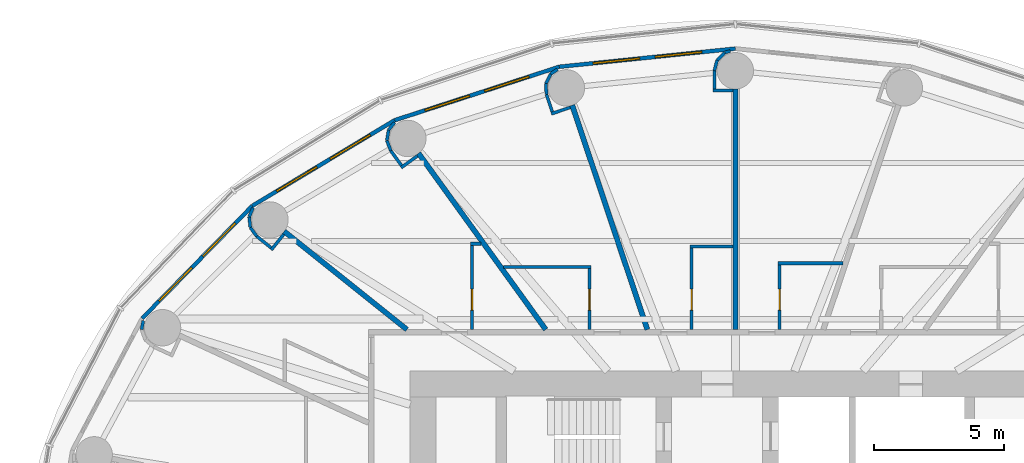
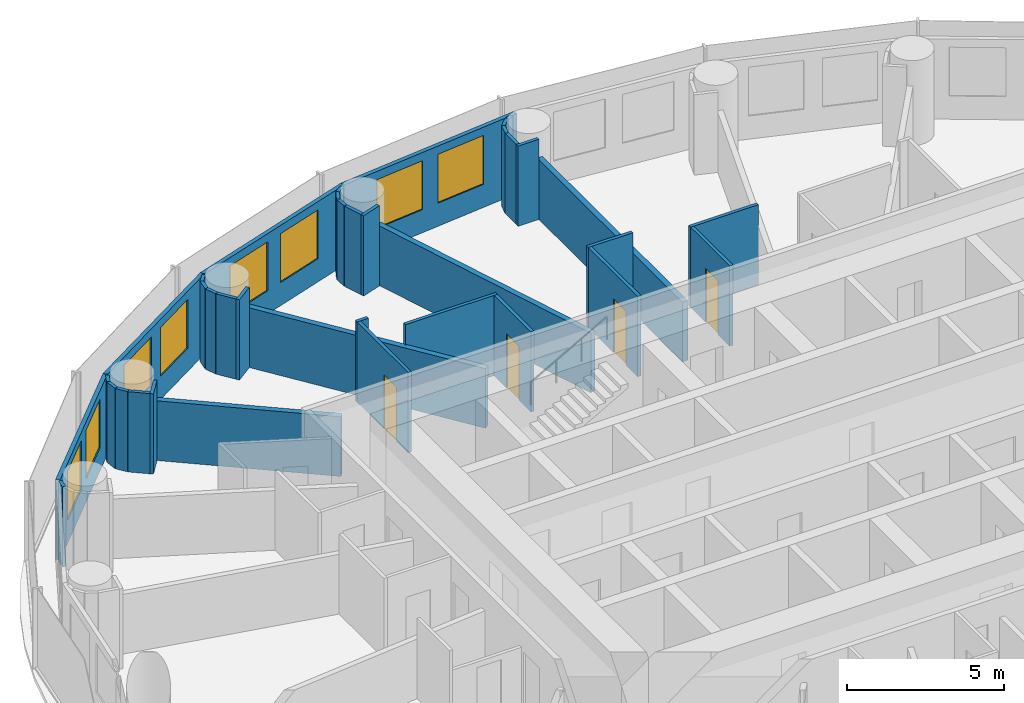
# One storey, part 12 of 14: 37 walls, 8 windows, 4 doors, 12 openings.
"""IFC4 building model written with IfcOpenShell, lengths in metres."""

from ifc_helpers import new_model, si_unit, direction, frame, frame_2d, origin, place, context, subcontext, project, spatial, rectangle, extrude, material, layer, layer_set, type_object, element, fill, save


model = new_model("IFC4")

# Units and contexts
model_context = context("Model", 3, precision=1e-05, world=origin(), true_north=direction((0.0, 1.0)))
body_context = subcontext(model_context, "Body", "Model", "MODEL_VIEW")
ifc_project = project(units=[si_unit("LENGTHUNIT", "METRE"), si_unit("AREAUNIT", "SQUARE_METRE"), si_unit("VOLUMEUNIT", "CUBIC_METRE"), si_unit("PLANEANGLEUNIT", "RADIAN"), si_unit("MASSUNIT", "GRAM", prefix="KILO")], contexts=[model_context])

# Site, building, storey
site_placement = place(None, origin())
site = spatial("IfcSite", under=ifc_project, at=site_placement, CompositionType="ELEMENT")
building_placement = place(site_placement, origin())
building = spatial("IfcBuilding", under=site, at=building_placement, Name="Hankou Lantern Tower", CompositionType="ELEMENT")
storey_placement = place(building_placement, frame((0.0, 0.0, 67.199951171875)))
storey = spatial("IfcBuildingStorey", under=building, at=storey_placement, Name="L16", CompositionType="ELEMENT", Elevation=67.199951171875)

# Wall, openings, windows
ifc_material_1 = material(Name="Aluminium spandrel panel on steel studs", Category="steel")
ifc_layer_1 = layer(ifc_material_1, 0.14990234375)
ifc_layer_set_1 = layer_set([ifc_layer_1], Name="Aluminium spandrel panel on steel studs")
wall_type_1 = type_object("IfcWallType", Name="EW1 INNER SKIN WALL 150", PredefinedType="ELEMENTEDWALL", material=ifc_layer_set_1)
wall_1_placement = place(storey_placement, frame((0.0, 20.89990234375, 0.0), z_axis=(0.0, 0.0, 1.0), x_axis=(-0.994721394369, -0.102612609291, 0.0)))
wall_1 = element("IfcWall", 1, at=wall_1_placement, inside=storey, type_object=wall_type_1, Name="Inner skin R07-R08 L16", PredefinedType="ELEMENTEDWALL", context=body_context, shape_type="SweptSolid", body=[
    extrude(rectangle(XDim=6.80224609375, YDim=0.14990234375, at=frame_2d((3.401123046875, 0.0))), origin(), (0.0, 0.0, 1.0), 3.1201171875),
])
opening_1_placement = place(wall_1_placement, frame((1.301025390625, 0.0, 0.89990234375)))
opening_1 = element("IfcOpeningElement", 2, at=opening_1_placement, cuts=wall_1, Name="Opening W1", PredefinedType="OPENING", context=body_context, shape_type="SweptSolid", body=[
    extrude(rectangle(XDim=1.800048828125, YDim=1.89990234375, at=frame_2d((0.89990234375, 0.949951171875))), frame((0.0, 0.0849609375, 0.0), z_axis=(0.0, -1.0, 0.0), x_axis=(1.0, 0.0, 0.0)), (0.0, 0.0, 1.0), 0.169921875),
])
opening_2_placement = place(wall_1_placement, frame((3.701171875, 0.0, 0.89990234375)))
opening_2 = element("IfcOpeningElement", 3, at=opening_2_placement, cuts=wall_1, Name="Opening W1", PredefinedType="OPENING", context=body_context, shape_type="SweptSolid", body=[
    extrude(rectangle(XDim=1.800048828125, YDim=1.89990234375, at=frame_2d((0.89990234375, 0.949951171875))), frame((0.0, 0.0849609375, 0.0), z_axis=(0.0, -1.0, 0.0), x_axis=(1.0, 0.0, 0.0)), (0.0, 0.0, 1.0), 0.169921875),
])
ifc_material_2 = material(Name="Aluminium framed double glazed window", Category="aluminium")
window_type = type_object("IfcWindowType", Name="W1 GUEST ROOM WINDOW 1800X1900", PartitioningType="DOUBLE_PANEL_VERTICAL", PredefinedType="WINDOW", material=ifc_material_2)
window_1_placement = place(opening_1_placement, origin())
window_1 = element("IfcWindow", 4, at=window_1_placement, inside=storey, type_object=window_type, Name="Window R07.1 L16", OverallHeight=1.89990234375, OverallWidth=1.800048828125, PartitioningType="SINGLE_PANEL", PredefinedType="WINDOW", context=body_context, shape_type="SweptSolid", body=[
    extrude(rectangle(XDim=1.800048828125, YDim=1.89990234375, at=frame_2d((0.89990234375, 0.949951171875))), frame((0.0, 0.030029296875, 0.0), z_axis=(0.0, -1.0, 0.0), x_axis=(1.0, 0.0, 0.0)), (0.0, 0.0, 1.0), 0.06005859375),
])
fill(opening_1, window_1)
window_2_placement = place(opening_2_placement, origin())
window_2 = element("IfcWindow", 5, at=window_2_placement, inside=storey, type_object=window_type, Name="Window R07.2 L16", OverallHeight=1.89990234375, OverallWidth=1.800048828125, PartitioningType="SINGLE_PANEL", PredefinedType="WINDOW", context=body_context, shape_type="SweptSolid", body=[
    extrude(rectangle(XDim=1.800048828125, YDim=1.89990234375, at=frame_2d((0.89990234375, 0.949951171875))), frame((0.0, 0.030029296875, 0.0), z_axis=(0.0, -1.0, 0.0), x_axis=(1.0, 0.0, 0.0)), (0.0, 0.0, 1.0), 0.06005859375),
])
fill(opening_2, window_2)

wall_2_placement = place(storey_placement, frame((-6.766357421875, 20.201904296875, 0.0), z_axis=(0.0, 0.0, 1.0), x_axis=(-0.951137534625, -0.308767534285, 0.0)))
wall_2 = element("IfcWall", 6, at=wall_2_placement, inside=storey, type_object=wall_type_1, Name="Inner skin R08-R09 L16", PredefinedType="ELEMENTEDWALL", context=body_context, shape_type="SweptSolid", body=[
    extrude(rectangle(XDim=6.6552734375, YDim=0.14990234375, at=frame_2d((3.32763671875, 0.0))), origin(), (0.0, 0.0, 1.0), 3.1201171875),
])
opening_3_placement = place(wall_2_placement, frame((1.2275390625, 0.0, 0.89990234375)))
opening_3 = element("IfcOpeningElement", 7, at=opening_3_placement, cuts=wall_2, Name="Opening W1", PredefinedType="OPENING", context=body_context, shape_type="SweptSolid", body=[
    extrude(rectangle(XDim=1.800048828125, YDim=1.89990234375, at=frame_2d((0.89990234375, 0.949951171875))), frame((0.0, 0.0849609375, 0.0), z_axis=(0.0, -1.0, 0.0), x_axis=(1.0, 0.0, 0.0)), (0.0, 0.0, 1.0), 0.169921875),
])
opening_4_placement = place(wall_2_placement, frame((3.627685546875, 0.0, 0.89990234375)))
opening_4 = element("IfcOpeningElement", 8, at=opening_4_placement, cuts=wall_2, Name="Opening W1", PredefinedType="OPENING", context=body_context, shape_type="SweptSolid", body=[
    extrude(rectangle(XDim=1.800048828125, YDim=1.89990234375, at=frame_2d((0.89990234375, 0.949951171875))), frame((0.0, 0.0849609375, 0.0), z_axis=(0.0, -1.0, 0.0), x_axis=(1.0, 0.0, 0.0)), (0.0, 0.0, 1.0), 0.169921875),
])
window_3_placement = place(opening_3_placement, origin())
window_3 = element("IfcWindow", 9, at=window_3_placement, inside=storey, type_object=window_type, Name="Window R08.1 L16", OverallHeight=1.89990234375, OverallWidth=1.800048828125, PartitioningType="SINGLE_PANEL", PredefinedType="WINDOW", context=body_context, shape_type="SweptSolid", body=[
    extrude(rectangle(XDim=1.800048828125, YDim=1.89990234375, at=frame_2d((0.89990234375, 0.949951171875))), frame((0.0, 0.030029296875, 0.0), z_axis=(0.0, -1.0, 0.0), x_axis=(1.0, 0.0, 0.0)), (0.0, 0.0, 1.0), 0.06005859375),
])
fill(opening_3, window_3)
window_4_placement = place(opening_4_placement, origin())
window_4 = element("IfcWindow", 10, at=window_4_placement, inside=storey, type_object=window_type, Name="Window R08.2 L16", OverallHeight=1.89990234375, OverallWidth=1.800048828125, PartitioningType="SINGLE_PANEL", PredefinedType="WINDOW", context=body_context, shape_type="SweptSolid", body=[
    extrude(rectangle(XDim=1.800048828125, YDim=1.89990234375, at=frame_2d((0.89990234375, 0.949951171875))), frame((0.0, 0.030029296875, 0.0), z_axis=(0.0, -1.0, 0.0), x_axis=(1.0, 0.0, 0.0)), (0.0, 0.0, 1.0), 0.06005859375),
])
fill(opening_4, window_4)

wall_3_placement = place(storey_placement, frame((-13.096435546875, 18.14697265625, 0.0), z_axis=(0.0, 0.0, 1.0), x_axis=(-0.856983180864, -0.515344377787, 0.0)))
wall_3 = element("IfcWall", 11, at=wall_3_placement, inside=storey, type_object=wall_type_1, Name="Inner skin R09-R10 L16", PredefinedType="ELEMENTEDWALL", context=body_context, shape_type="SweptSolid", body=[
    extrude(rectangle(XDim=6.386474609375, YDim=0.14990234375, at=frame_2d((3.193359375, 0.0))), origin(), (0.0, 0.0, 1.0), 3.1201171875),
])
opening_5_placement = place(wall_3_placement, frame((1.09326171875, 0.0, 0.89990234375)))
opening_5 = element("IfcOpeningElement", 12, at=opening_5_placement, cuts=wall_3, Name="Opening W1", PredefinedType="OPENING", context=body_context, shape_type="SweptSolid", body=[
    extrude(rectangle(XDim=1.800048828125, YDim=1.89990234375, at=frame_2d((0.89990234375, 0.949951171875))), frame((0.0, 0.0849609375, 0.0), z_axis=(0.0, -1.0, 0.0), x_axis=(1.0, 0.0, 0.0)), (0.0, 0.0, 1.0), 0.169921875),
])
opening_6_placement = place(wall_3_placement, frame((3.4931640625, 0.0, 0.89990234375)))
opening_6 = element("IfcOpeningElement", 13, at=opening_6_placement, cuts=wall_3, Name="Opening W1", PredefinedType="OPENING", context=body_context, shape_type="SweptSolid", body=[
    extrude(rectangle(XDim=1.800048828125, YDim=1.89990234375, at=frame_2d((0.89990234375, 0.949951171875))), frame((0.0, 0.0849609375, 0.0), z_axis=(0.0, -1.0, 0.0), x_axis=(1.0, 0.0, 0.0)), (0.0, 0.0, 1.0), 0.169921875),
])
window_5_placement = place(opening_5_placement, origin())
window_5 = element("IfcWindow", 14, at=window_5_placement, inside=storey, type_object=window_type, Name="Window R09.1 L16", OverallHeight=1.89990234375, OverallWidth=1.800048828125, PartitioningType="SINGLE_PANEL", PredefinedType="WINDOW", context=body_context, shape_type="SweptSolid", body=[
    extrude(rectangle(XDim=1.800048828125, YDim=1.89990234375, at=frame_2d((0.89990234375, 0.949951171875))), frame((0.0, 0.030029296875, 0.0), z_axis=(0.0, -1.0, 0.0), x_axis=(1.0, 0.0, 0.0)), (0.0, 0.0, 1.0), 0.06005859375),
])
fill(opening_5, window_5)
window_6_placement = place(opening_6_placement, origin())
window_6 = element("IfcWindow", 15, at=window_6_placement, inside=storey, type_object=window_type, Name="Window R09.2 L16", OverallHeight=1.89990234375, OverallWidth=1.800048828125, PartitioningType="SINGLE_PANEL", PredefinedType="WINDOW", context=body_context, shape_type="SweptSolid", body=[
    extrude(rectangle(XDim=1.800048828125, YDim=1.89990234375, at=frame_2d((0.89990234375, 0.949951171875))), frame((0.0, 0.030029296875, 0.0), z_axis=(0.0, -1.0, 0.0), x_axis=(1.0, 0.0, 0.0)), (0.0, 0.0, 1.0), 0.06005859375),
])
fill(opening_6, window_6)

wall_4_placement = place(storey_placement, frame((-18.569580078125, 14.855712890625, 0.0), z_axis=(0.0, 0.0, 1.0), x_axis=(-0.699602905915, -0.714531856557, 0.0)))
wall_4 = element("IfcWall", 16, at=wall_4_placement, inside=storey, type_object=wall_type_1, Name="Inner skin R10-R11 L16", PredefinedType="ELEMENTEDWALL", context=body_context, shape_type="SweptSolid", body=[
    extrude(rectangle(XDim=6.05078125, YDim=0.14990234375, at=frame_2d((3.025390625, 0.0))), origin(), (0.0, 0.0, 1.0), 3.1201171875),
])
opening_7_placement = place(wall_4_placement, frame((0.925537109375, 0.0, 0.89990234375)))
opening_7 = element("IfcOpeningElement", 17, at=opening_7_placement, cuts=wall_4, Name="Opening W1", PredefinedType="OPENING", context=body_context, shape_type="SweptSolid", body=[
    extrude(rectangle(XDim=1.800048828125, YDim=1.89990234375, at=frame_2d((0.89990234375, 0.949951171875))), frame((0.0, 0.0849609375, 0.0), z_axis=(0.0, -1.0, 0.0), x_axis=(1.0, 0.0, 0.0)), (0.0, 0.0, 1.0), 0.169921875),
])
opening_8_placement = place(wall_4_placement, frame((3.325439453125, 0.0, 0.89990234375)))
opening_8 = element("IfcOpeningElement", 18, at=opening_8_placement, cuts=wall_4, Name="Opening W1", PredefinedType="OPENING", context=body_context, shape_type="SweptSolid", body=[
    extrude(rectangle(XDim=1.800048828125, YDim=1.89990234375, at=frame_2d((0.89990234375, 0.949951171875))), frame((0.0, 0.0849609375, 0.0), z_axis=(0.0, -1.0, 0.0), x_axis=(1.0, 0.0, 0.0)), (0.0, 0.0, 1.0), 0.169921875),
])
window_7_placement = place(opening_7_placement, origin())
window_7 = element("IfcWindow", 19, at=window_7_placement, inside=storey, type_object=window_type, Name="Window R10.1 L16", OverallHeight=1.89990234375, OverallWidth=1.800048828125, PartitioningType="SINGLE_PANEL", PredefinedType="WINDOW", context=body_context, shape_type="SweptSolid", body=[
    extrude(rectangle(XDim=1.800048828125, YDim=1.89990234375, at=frame_2d((0.89990234375, 0.949951171875))), frame((0.0, 0.030029296875, 0.0), z_axis=(0.0, -1.0, 0.0), x_axis=(1.0, 0.0, 0.0)), (0.0, 0.0, 1.0), 0.06005859375),
])
fill(opening_7, window_7)
window_8_placement = place(opening_8_placement, origin())
window_8 = element("IfcWindow", 20, at=window_8_placement, inside=storey, type_object=window_type, Name="Window R10.2 L16", OverallHeight=1.89990234375, OverallWidth=1.800048828125, PartitioningType="SINGLE_PANEL", PredefinedType="WINDOW", context=body_context, shape_type="SweptSolid", body=[
    extrude(rectangle(XDim=1.800048828125, YDim=1.89990234375, at=frame_2d((0.89990234375, 0.949951171875))), frame((0.0, 0.030029296875, 0.0), z_axis=(0.0, -1.0, 0.0), x_axis=(1.0, 0.0, 0.0)), (0.0, 0.0, 1.0), 0.06005859375),
])
fill(opening_8, window_8)

# Walls
ifc_material_3 = material(Name="Masonry lightweight concrete block", Category="masonry")
ifc_layer_2 = layer(ifc_material_3, 0.199951171875)
ifc_layer_set_2 = layer_set([ifc_layer_2], Name="Masonry lightweight concrete block")
wall_type_2 = type_object("IfcWallType", Name="IW1 GUEST ROOM PARTY WALL 200", PredefinedType="PARTITIONING", material=ifc_layer_set_2)
wall_5_placement = place(storey_placement, frame((0.0, 10.10009765625, 0.0), z_axis=(0.0, 0.0, 1.0), x_axis=(0.0, 1.0, 0.0)))
element("IfcWall", 21, at=wall_5_placement, inside=storey, type_object=wall_type_2, Name="Party wall R07", PredefinedType="PARTITIONING", context=body_context, shape_type="SweptSolid", body=[
    extrude(rectangle(XDim=9.25, YDim=0.199951171875, at=frame_2d((4.625, 0.0))), origin(), (0.0, 0.0, 1.0), 2.320068359375),
])
wall_6_placement = place(storey_placement, frame((-3.3828125, 10.10009765625, 0.0), z_axis=(0.0, 0.0, 1.0), x_axis=(-0.31759592231, 0.948226149256, 0.0)))
element("IfcWall", 22, at=wall_6_placement, inside=storey, type_object=wall_type_2, Name="Party wall R08", PredefinedType="PARTITIONING", context=body_context, shape_type="SweptSolid", body=[
    extrude(rectangle(XDim=9.098388671875, YDim=0.199951171875, at=frame_2d((4.54931640625, 0.0))), origin(), (0.0, 0.0, 1.0), 2.320068359375),
])
wall_7_placement = place(storey_placement, frame((-7.2890625, 10.10009765625, 0.0), z_axis=(0.0, 0.0, 1.0), x_axis=(-0.585198353053, 0.810890182197, 0.0)))
element("IfcWall", 23, at=wall_7_placement, inside=storey, type_object=wall_type_2, Name="Party wall R09", PredefinedType="PARTITIONING", context=body_context, shape_type="SweptSolid", body=[
    extrude(rectangle(XDim=8.359619140625, YDim=0.199951171875, at=frame_2d((4.1796875, 0.0))), origin(), (0.0, 0.0, 1.0), 2.320068359375),
])
wall_8_placement = place(storey_placement, frame((-12.625, 10.10009765625, 0.0), z_axis=(0.0, 0.0, 1.0), x_axis=(-0.780892451574, 0.624665493744, 0.0)))
element("IfcWall", 24, at=wall_8_placement, inside=storey, type_object=wall_type_2, Name="Party wall R10", PredefinedType="PARTITIONING", context=body_context, shape_type="SweptSolid", body=[
    extrude(rectangle(XDim=6.044677734375, YDim=0.199951171875, at=frame_2d((3.0224609375, 0.0))), origin(), (0.0, 0.0, 1.0), 2.320068359375),
])
ifc_material_4 = material(Name="Masonry lightweight concrete block", Category="masonry")
ifc_layer_3 = layer(ifc_material_4, 0.1201171875)
ifc_layer_set_3 = layer_set([ifc_layer_3], Name="Masonry lightweight concrete block")
wall_type_3 = type_object("IfcWallType", Name="IW3 BATHROOM WALL 120", PredefinedType="PARTITIONING", material=ifc_layer_set_3)
wall_9_placement = place(storey_placement, frame((4.136962890625, 12.64990234375, 0.0), z_axis=(0.0, 0.0, 1.0), x_axis=(-1.0, 0.0, 0.0)))
element("IfcWall", 25, at=wall_9_placement, inside=storey, type_object=wall_type_3, Name="Box wall 1606 1", PredefinedType="PARTITIONING", context=body_context, shape_type="SweptSolid", body=[
    extrude(rectangle(XDim=2.494140625, YDim=0.1201171875, at=frame_2d((1.2470703125, 0.0))), origin(), (0.0, 0.0, 1.0), 3.1201171875),
])

# Wall, opening, door
wall_10_placement = place(storey_placement, frame((1.702880859375, 10.10009765625, 0.0), z_axis=(0.0, 0.0, 1.0), x_axis=(0.0, 1.0, 0.0)))
wall_10 = element("IfcWall", 26, at=wall_10_placement, inside=storey, type_object=wall_type_3, Name="Box wall 1606 1", PredefinedType="PARTITIONING", context=body_context, shape_type="SweptSolid", body=[
    extrude(rectangle(XDim=2.489990234375, YDim=0.1201171875, at=frame_2d((1.2451171875, 0.0))), origin(), (0.0, 0.0, 1.0), 3.1201171875),
])
opening_9_placement = place(wall_10_placement, frame((0.75, 0.0, 0.0)))
opening_9 = element("IfcOpeningElement", 27, at=opening_9_placement, cuts=wall_10, Name="Opening D3", PredefinedType="OPENING", context=body_context, shape_type="SweptSolid", body=[
    extrude(rectangle(XDim=0.800048828125, YDim=2.10009765625, at=frame_2d((0.39990234375, 1.050048828125))), frame((0.0, 0.070068359375, 0.0), z_axis=(0.0, -1.0, 0.0), x_axis=(1.0, 0.0, 0.0)), (0.0, 0.0, 1.0), 0.14013671875),
])
ifc_material_5 = material(Name="Timber door leaf", Category="wood")
door_type = type_object("IfcDoorType", Name="D3 BATHROOM DOOR 800X2100", OperationType="SINGLE_SWING_LEFT", PredefinedType="DOOR", material=ifc_material_5)
door_1_placement = place(opening_9_placement, origin())
door_1 = element("IfcDoor", 28, at=door_1_placement, inside=storey, type_object=door_type, Name="En-suite bathroom 1606 door", OperationType="SINGLE_SWING_LEFT", OverallHeight=2.10009765625, OverallWidth=0.800048828125, PredefinedType="DOOR", context=body_context, shape_type="SweptSolid", body=[
    extrude(rectangle(XDim=0.800048828125, YDim=2.10009765625, at=frame_2d((0.39990234375, 1.050048828125))), frame((0.0, 0.02490234375, 0.0), z_axis=(0.0, -1.0, 0.0), x_axis=(1.0, 0.0, 0.0)), (0.0, 0.0, 1.0), 0.050048828125),
])
fill(opening_9, door_1)

# Wall
wall_11_placement = place(storey_placement, frame((-0.10009765625, 13.300048828125, 0.0), z_axis=(0.0, 0.0, 1.0), x_axis=(-1.0, 0.0, 0.0)))
element("IfcWall", 29, at=wall_11_placement, inside=storey, type_object=wall_type_3, Name="Box wall 1607 1", PredefinedType="PARTITIONING", context=body_context, shape_type="SweptSolid", body=[
    extrude(rectangle(XDim=1.639892578125, YDim=0.1201171875, at=frame_2d((0.81982421875, 0.0))), origin(), (0.0, 0.0, 1.0), 3.1201171875),
])

# Wall, opening, door
wall_12_placement = place(storey_placement, frame((-1.679931640625, 10.10009765625, 0.0), z_axis=(0.0, 0.0, 1.0), x_axis=(0.0, 1.0, 0.0)))
wall_12 = element("IfcWall", 30, at=wall_12_placement, inside=storey, type_object=wall_type_3, Name="Box wall 1607 1", PredefinedType="PARTITIONING", context=body_context, shape_type="SweptSolid", body=[
    extrude(rectangle(XDim=3.139892578125, YDim=0.1201171875, at=frame_2d((1.56982421875, 0.0))), origin(), (0.0, 0.0, 1.0), 3.1201171875),
])
opening_10_placement = place(wall_12_placement, frame((0.75, 0.0, 0.0)))
opening_10 = element("IfcOpeningElement", 31, at=opening_10_placement, cuts=wall_12, Name="Opening D3", PredefinedType="OPENING", context=body_context, shape_type="SweptSolid", body=[
    extrude(rectangle(XDim=0.800048828125, YDim=2.10009765625, at=frame_2d((0.39990234375, 1.050048828125))), frame((0.0, 0.070068359375, 0.0), z_axis=(0.0, -1.0, 0.0), x_axis=(1.0, 0.0, 0.0)), (0.0, 0.0, 1.0), 0.14013671875),
])
door_2_placement = place(opening_10_placement, origin())
door_2 = element("IfcDoor", 32, at=door_2_placement, inside=storey, type_object=door_type, Name="En-suite bathroom 1607 door", OperationType="SINGLE_SWING_LEFT", OverallHeight=2.10009765625, OverallWidth=0.800048828125, PredefinedType="DOOR", context=body_context, shape_type="SweptSolid", body=[
    extrude(rectangle(XDim=0.800048828125, YDim=2.10009765625, at=frame_2d((0.39990234375, 1.050048828125))), frame((0.0, 0.02490234375, 0.0), z_axis=(0.0, -1.0, 0.0), x_axis=(1.0, 0.0, 0.0)), (0.0, 0.0, 1.0), 0.050048828125),
])
fill(opening_10, door_2)

# Wall
wall_13_placement = place(storey_placement, frame((-8.921142578125, 12.5, 0.0), z_axis=(0.0, 0.0, 1.0), x_axis=(1.0, 0.0, 0.0)))
element("IfcWall", 33, at=wall_13_placement, inside=storey, type_object=wall_type_3, Name="Box wall 1608 1", PredefinedType="PARTITIONING", context=body_context, shape_type="SweptSolid", body=[
    extrude(rectangle(XDim=3.3720703125, YDim=0.1201171875, at=frame_2d((1.68603515625, 0.0))), origin(), (0.0, 0.0, 1.0), 3.1201171875),
])

# Wall, opening, door
wall_14_placement = place(storey_placement, frame((-5.609130859375, 10.10009765625, 0.0), z_axis=(0.0, 0.0, 1.0), x_axis=(0.0, 1.0, 0.0)))
wall_14 = element("IfcWall", 34, at=wall_14_placement, inside=storey, type_object=wall_type_3, Name="Box wall 1608 1", PredefinedType="PARTITIONING", context=body_context, shape_type="SweptSolid", body=[
    extrude(rectangle(XDim=2.33984375, YDim=0.1201171875, at=frame_2d((1.169921875, 0.0))), origin(), (0.0, 0.0, 1.0), 3.1201171875),
])
opening_11_placement = place(wall_14_placement, frame((0.75, 0.0, 0.0)))
opening_11 = element("IfcOpeningElement", 35, at=opening_11_placement, cuts=wall_14, Name="Opening D3", PredefinedType="OPENING", context=body_context, shape_type="SweptSolid", body=[
    extrude(rectangle(XDim=0.800048828125, YDim=2.10009765625, at=frame_2d((0.39990234375, 1.050048828125))), frame((0.0, 0.070068359375, 0.0), z_axis=(0.0, -1.0, 0.0), x_axis=(1.0, 0.0, 0.0)), (0.0, 0.0, 1.0), 0.14013671875),
])
door_3_placement = place(opening_11_placement, origin())
door_3 = element("IfcDoor", 36, at=door_3_placement, inside=storey, type_object=door_type, Name="En-suite bathroom 1608 door", OperationType="SINGLE_SWING_LEFT", OverallHeight=2.10009765625, OverallWidth=0.800048828125, PredefinedType="DOOR", context=body_context, shape_type="SweptSolid", body=[
    extrude(rectangle(XDim=0.800048828125, YDim=2.10009765625, at=frame_2d((0.39990234375, 1.050048828125))), frame((0.0, 0.02490234375, 0.0), z_axis=(0.0, -1.0, 0.0), x_axis=(1.0, 0.0, 0.0)), (0.0, 0.0, 1.0), 0.050048828125),
])
fill(opening_11, door_3)

# Wall
wall_15_placement = place(storey_placement, frame((-9.7705078125, 13.39990234375, 0.0), z_axis=(0.0, 0.0, 1.0), x_axis=(-1.0, 0.0, 0.0)))
element("IfcWall", 37, at=wall_15_placement, inside=storey, type_object=wall_type_3, Name="Box wall 1609 1", PredefinedType="PARTITIONING", context=body_context, shape_type="SweptSolid", body=[
    extrude(rectangle(XDim=0.408447265625, YDim=0.1201171875, at=frame_2d((0.2041015625, 0.0))), origin(), (0.0, 0.0, 1.0), 3.1201171875),
])

# Wall, opening, door
wall_16_placement = place(storey_placement, frame((-10.119140625, 10.10009765625, 0.0), z_axis=(0.0, 0.0, 1.0), x_axis=(0.0, 1.0, 0.0)))
wall_16 = element("IfcWall", 38, at=wall_16_placement, inside=storey, type_object=wall_type_3, Name="Box wall 1609 1", PredefinedType="PARTITIONING", context=body_context, shape_type="SweptSolid", body=[
    extrude(rectangle(XDim=3.239990234375, YDim=0.1201171875, at=frame_2d((1.6201171875, 0.0))), origin(), (0.0, 0.0, 1.0), 3.1201171875),
])
opening_12_placement = place(wall_16_placement, frame((0.75, 0.0, 0.0)))
opening_12 = element("IfcOpeningElement", 39, at=opening_12_placement, cuts=wall_16, Name="Opening D3", PredefinedType="OPENING", context=body_context, shape_type="SweptSolid", body=[
    extrude(rectangle(XDim=0.800048828125, YDim=2.10009765625, at=frame_2d((0.39990234375, 1.050048828125))), frame((0.0, 0.070068359375, 0.0), z_axis=(0.0, -1.0, 0.0), x_axis=(1.0, 0.0, 0.0)), (0.0, 0.0, 1.0), 0.14013671875),
])
door_4_placement = place(opening_12_placement, origin())
door_4 = element("IfcDoor", 40, at=door_4_placement, inside=storey, type_object=door_type, Name="En-suite bathroom 1609 door", OperationType="SINGLE_SWING_LEFT", OverallHeight=2.10009765625, OverallWidth=0.800048828125, PredefinedType="DOOR", context=body_context, shape_type="SweptSolid", body=[
    extrude(rectangle(XDim=0.800048828125, YDim=2.10009765625, at=frame_2d((0.39990234375, 1.050048828125))), frame((0.0, 0.02490234375, 0.0), z_axis=(0.0, -1.0, 0.0), x_axis=(1.0, 0.0, 0.0)), (0.0, 0.0, 1.0), 0.050048828125),
])
fill(opening_12, door_4)

# Walls
ifc_material_6 = material(Name="Masonry lightweight concrete block", Category="masonry")
ifc_layer_4 = layer(ifc_material_6, 0.1201171875)
ifc_layer_set_4 = layer_set([ifc_layer_4], Name="Masonry lightweight concrete block")
wall_type_4 = type_object("IfcWallType", Name="IW4 PARTITION 120", PredefinedType="PARTITIONING", material=ifc_layer_set_4)
wall_17_placement = place(storey_placement, frame((-0.10009765625, 19.2900390625, 0.0), z_axis=(0.0, 0.0, 1.0), x_axis=(-1.0, 0.0, 0.0)))
element("IfcWall", 41, at=wall_17_placement, inside=storey, type_object=wall_type_4, Name="Column casing R07 return", PredefinedType="PARTITIONING", context=body_context, shape_type="SweptSolid", body=[
    extrude(rectangle(XDim=0.767333984375, YDim=0.1201171875, at=frame_2d((0.3837890625, 0.0))), origin(), (0.0, 0.0, 1.0), 3.1201171875),
])
wall_18_placement = place(storey_placement, frame((-0.8076171875, 19.35009765625, 0.0), z_axis=(0.0, 0.0, 1.0), x_axis=(0.0, 1.0, 0.0)))
element("IfcWall", 42, at=wall_18_placement, inside=storey, type_object=wall_type_4, Name="Column casing R07", PredefinedType="PARTITIONING", context=body_context, shape_type="SweptSolid", body=[
    extrude(rectangle(XDim=0.699951171875, YDim=0.1201171875, at=frame_2d((0.35009765625, 0.0))), origin(), (0.0, 0.0, 1.0), 3.1201171875),
])
wall_19_placement = place(storey_placement, frame((-0.8076171875, 20.050048828125, 0.0), z_axis=(0.0, 0.0, 1.0), x_axis=(0.2592614205, 0.965807183573, 0.0)))
element("IfcWall", 43, at=wall_19_placement, inside=storey, type_object=wall_type_4, Name="Column casing R07", PredefinedType="PARTITIONING", context=body_context, shape_type="SweptSolid", body=[
    extrude(rectangle(XDim=0.418212890625, YDim=0.1201171875, at=frame_2d((0.208984375, 0.0))), origin(), (0.0, 0.0, 1.0), 3.1201171875),
])
wall_20_placement = place(storey_placement, frame((-0.69921875, 20.453857421875, 0.0), z_axis=(0.0, 0.0, 1.0), x_axis=(0.707106781187, 0.707106781187, 0.0)))
element("IfcWall", 44, at=wall_20_placement, inside=storey, type_object=wall_type_4, Name="Column casing R07", PredefinedType="PARTITIONING", context=body_context, shape_type="SweptSolid", body=[
    extrude(rectangle(XDim=0.417724609375, YDim=0.1201171875, at=frame_2d((0.208984375, 0.0))), origin(), (0.0, 0.0, 1.0), 3.1201171875),
])
wall_21_placement = place(storey_placement, frame((-0.40380859375, 20.749267578125, 0.0), z_axis=(0.0, 0.0, 1.0), x_axis=(0.965759066438, 0.25944060128, 0.0)))
element("IfcWall", 45, at=wall_21_placement, inside=storey, type_object=wall_type_4, Name="Column casing R07", PredefinedType="PARTITIONING", context=body_context, shape_type="SweptSolid", body=[
    extrude(rectangle(XDim=0.213623046875, YDim=0.1201171875, at=frame_2d((0.10693359375, 0.0))), origin(), (0.0, 0.0, 1.0), 3.1201171875),
])
wall_22_placement = place(storey_placement, frame((-6.348388671875, 18.638916015625, 0.0), z_axis=(0.0, 0.0, 1.0), x_axis=(-0.948268951266, -0.317468102437, 0.0)))
element("IfcWall", 46, at=wall_22_placement, inside=storey, type_object=wall_type_4, Name="Column casing R08 return", PredefinedType="PARTITIONING", context=body_context, shape_type="SweptSolid", body=[
    extrude(rectangle(XDim=0.767578125, YDim=0.1201171875, at=frame_2d((0.3837890625, 0.0))), origin(), (0.0, 0.0, 1.0), 3.1201171875),
])
wall_23_placement = place(storey_placement, frame((-7.038330078125, 18.47119140625, 0.0), z_axis=(0.0, 0.0, 1.0), x_axis=(-0.317378466199, 0.9482989556, 0.0)))
element("IfcWall", 47, at=wall_23_placement, inside=storey, type_object=wall_type_4, Name="Column casing R08", PredefinedType="PARTITIONING", context=body_context, shape_type="SweptSolid", body=[
    extrude(rectangle(XDim=0.699951171875, YDim=0.1201171875, at=frame_2d((0.35009765625, 0.0))), origin(), (0.0, 0.0, 1.0), 3.1201171875),
])
wall_24_placement = place(storey_placement, frame((-7.260498046875, 19.135009765625, 0.0), z_axis=(0.0, 0.0, 1.0), x_axis=(-0.0613238046, 0.99811792439, 0.0)))
element("IfcWall", 48, at=wall_24_placement, inside=storey, type_object=wall_type_4, Name="Column casing R08", PredefinedType="PARTITIONING", context=body_context, shape_type="SweptSolid", body=[
    extrude(rectangle(XDim=0.41796875, YDim=0.1201171875, at=frame_2d((0.208984375, 0.0))), origin(), (0.0, 0.0, 1.0), 3.1201171875),
])
wall_25_placement = place(storey_placement, frame((-7.2861328125, 19.55224609375, 0.0), z_axis=(0.0, 0.0, 1.0), x_axis=(0.445810757773, 0.89512723579, 0.0)))
element("IfcWall", 49, at=wall_25_placement, inside=storey, type_object=wall_type_4, Name="Column casing R08", PredefinedType="PARTITIONING", context=body_context, shape_type="SweptSolid", body=[
    extrude(rectangle(XDim=0.417724609375, YDim=0.1201171875, at=frame_2d((0.208984375, 0.0))), origin(), (0.0, 0.0, 1.0), 3.1201171875),
])
wall_26_placement = place(storey_placement, frame((-7.099853515625, 19.92626953125, 0.0), z_axis=(0.0, 0.0, 1.0), x_axis=(0.833488262509, 0.552537162787, 0.0)))
element("IfcWall", 50, at=wall_26_placement, inside=storey, type_object=wall_type_4, Name="Column casing R08", PredefinedType="PARTITIONING", context=body_context, shape_type="SweptSolid", body=[
    extrude(rectangle(XDim=0.312744140625, YDim=0.1201171875, at=frame_2d((0.15625, 0.0))), origin(), (0.0, 0.0, 1.0), 3.1201171875),
])
wall_27_placement = place(storey_placement, frame((-12.227294921875, 16.771728515625, 0.0), z_axis=(0.0, 0.0, 1.0), x_axis=(-0.810821798253, -0.585293098778, 0.0)))
element("IfcWall", 51, at=wall_27_placement, inside=storey, type_object=wall_type_4, Name="Column casing R09 return", PredefinedType="PARTITIONING", context=body_context, shape_type="SweptSolid", body=[
    extrude(rectangle(XDim=0.767578125, YDim=0.1201171875, at=frame_2d((0.3837890625, 0.0))), origin(), (0.0, 0.0, 1.0), 3.1201171875),
])
wall_28_placement = place(storey_placement, frame((-12.8359375, 16.40625, 0.0), z_axis=(0.0, 0.0, 1.0), x_axis=(-0.585223113993, 0.810872312296, 0.0)))
element("IfcWall", 52, at=wall_28_placement, inside=storey, type_object=wall_type_4, Name="Column casing R09", PredefinedType="PARTITIONING", context=body_context, shape_type="SweptSolid", body=[
    extrude(rectangle(XDim=0.699951171875, YDim=0.1201171875, at=frame_2d((0.35009765625, 0.0))), origin(), (0.0, 0.0, 1.0), 3.1201171875),
])
wall_29_placement = place(storey_placement, frame((-13.24560546875, 16.973876953125, 0.0), z_axis=(0.0, 0.0, 1.0), x_axis=(-0.355728122235, 0.934589483705, 0.0)))
element("IfcWall", 53, at=wall_29_placement, inside=storey, type_object=wall_type_4, Name="Column casing R09", PredefinedType="PARTITIONING", context=body_context, shape_type="SweptSolid", body=[
    extrude(rectangle(XDim=0.41796875, YDim=0.1201171875, at=frame_2d((0.208984375, 0.0))), origin(), (0.0, 0.0, 1.0), 3.1201171875),
])
wall_30_placement = place(storey_placement, frame((-13.394287109375, 17.364501953125, 0.0), z_axis=(0.0, 0.0, 1.0), x_axis=(0.159379276926, 0.987217425943, 0.0)))
element("IfcWall", 54, at=wall_30_placement, inside=storey, type_object=wall_type_4, Name="Column casing R09", PredefinedType="PARTITIONING", context=body_context, shape_type="SweptSolid", body=[
    extrude(rectangle(XDim=0.418212890625, YDim=0.1201171875, at=frame_2d((0.208984375, 0.0))), origin(), (0.0, 0.0, 1.0), 3.1201171875),
])
wall_31_placement = place(storey_placement, frame((-13.32763671875, 17.77734375, 0.0), z_axis=(0.0, 0.0, 1.0), x_axis=(0.632276783541, 0.774742582407, 0.0)))
element("IfcWall", 55, at=wall_31_placement, inside=storey, type_object=wall_type_4, Name="Column casing R09", PredefinedType="PARTITIONING", context=body_context, shape_type="SweptSolid", body=[
    extrude(rectangle(XDim=0.35986328125, YDim=0.1201171875, at=frame_2d((0.179931640625, 0.0))), origin(), (0.0, 0.0, 1.0), 3.1201171875),
])
wall_32_placement = place(storey_placement, frame((-17.36083984375, 13.760498046875, 0.0), z_axis=(0.0, 0.0, 1.0), x_axis=(-0.624501042889, -0.781023973659, 0.0)))
element("IfcWall", 56, at=wall_32_placement, inside=storey, type_object=wall_type_4, Name="Column casing R10 return", PredefinedType="PARTITIONING", context=body_context, shape_type="SweptSolid", body=[
    extrude(rectangle(XDim=0.767333984375, YDim=0.1201171875, at=frame_2d((0.3837890625, 0.0))), origin(), (0.0, 0.0, 1.0), 3.1201171875),
])
wall_33_placement = place(storey_placement, frame((-17.849609375, 13.24560546875, 0.0), z_axis=(0.0, 0.0, 1.0), x_axis=(-0.780902834923, 0.62465251333, 0.0)))
element("IfcWall", 57, at=wall_33_placement, inside=storey, type_object=wall_type_4, Name="Column casing R10", PredefinedType="PARTITIONING", context=body_context, shape_type="SweptSolid", body=[
    extrude(rectangle(XDim=0.699951171875, YDim=0.1201171875, at=frame_2d((0.35009765625, 0.0))), origin(), (0.0, 0.0, 1.0), 3.1201171875),
])
for number, where, z_axis, x_axis, name in (
    (58, (-18.396240234375, 13.682861328125, 0.0), (0.0, 0.0, 1.0), (-0.592401603461, 0.805642811807, 0.0), "Column casing R10"),
    (59, (-18.643798828125, 14.01953125, 0.0), (0.0, 0.0, 1.0), (-0.110367433259, 0.993890854006, 0.0), "Column casing R10"),
):
    element("IfcWall", number, at=place(storey_placement, frame(where, z_axis=z_axis, x_axis=x_axis)), inside=storey, type_object=wall_type_4, Name=name, PredefinedType="PARTITIONING", context=body_context, shape_type="SweptSolid", body=[
        extrude(rectangle(XDim=0.41796875, YDim=0.1201171875, at=frame_2d((0.208984375, 0.0))), origin(), (0.0, 0.0, 1.0), 3.1201171875),
    ])
wall_34_placement = place(storey_placement, frame((-18.68994140625, 14.43505859375, 0.0), z_axis=(0.0, 0.0, 1.0), x_axis=(0.401093412634, 0.91603715773, 0.0)))
element("IfcWall", 60, at=wall_34_placement, inside=storey, type_object=wall_type_4, Name="Column casing R10", PredefinedType="PARTITIONING", context=body_context, shape_type="SweptSolid", body=[
    extrude(rectangle(XDim=0.373046875, YDim=0.1201171875, at=frame_2d((0.1865234375, 0.0))), origin(), (0.0, 0.0, 1.0), 3.1201171875),
])
wall_35_placement = place(storey_placement, frame((-22.8232421875, 10.096923828125, 0.0), z_axis=(0.0, 0.0, 1.0), x_axis=(0.169674995186, 0.985500074079, 0.0)))
element("IfcWall", 61, at=wall_35_placement, inside=storey, type_object=wall_type_4, Name="Column casing R11", PredefinedType="PARTITIONING", context=body_context, shape_type="SweptSolid", body=[
    extrude(rectangle(XDim=0.3525390625, YDim=0.1201171875, at=frame_2d((0.17626953125, 0.0))), origin(), (0.0, 0.0, 1.0), 3.1201171875),
])

save(model, "model.ifc")
